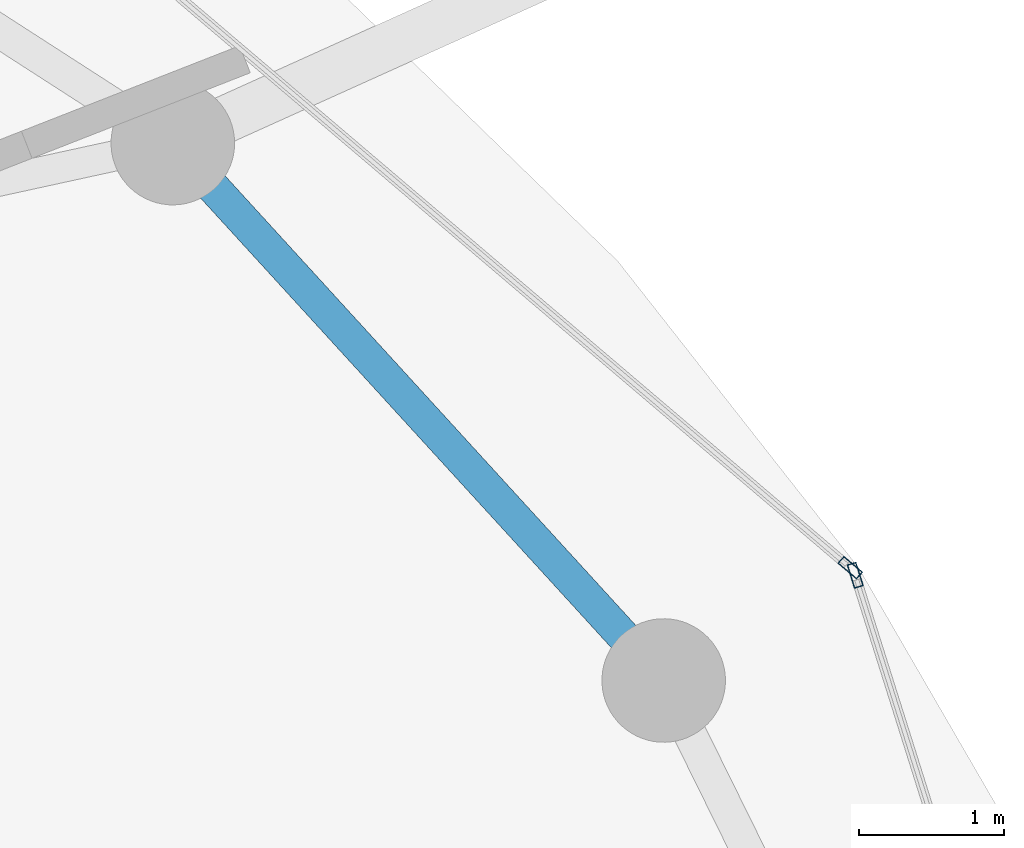
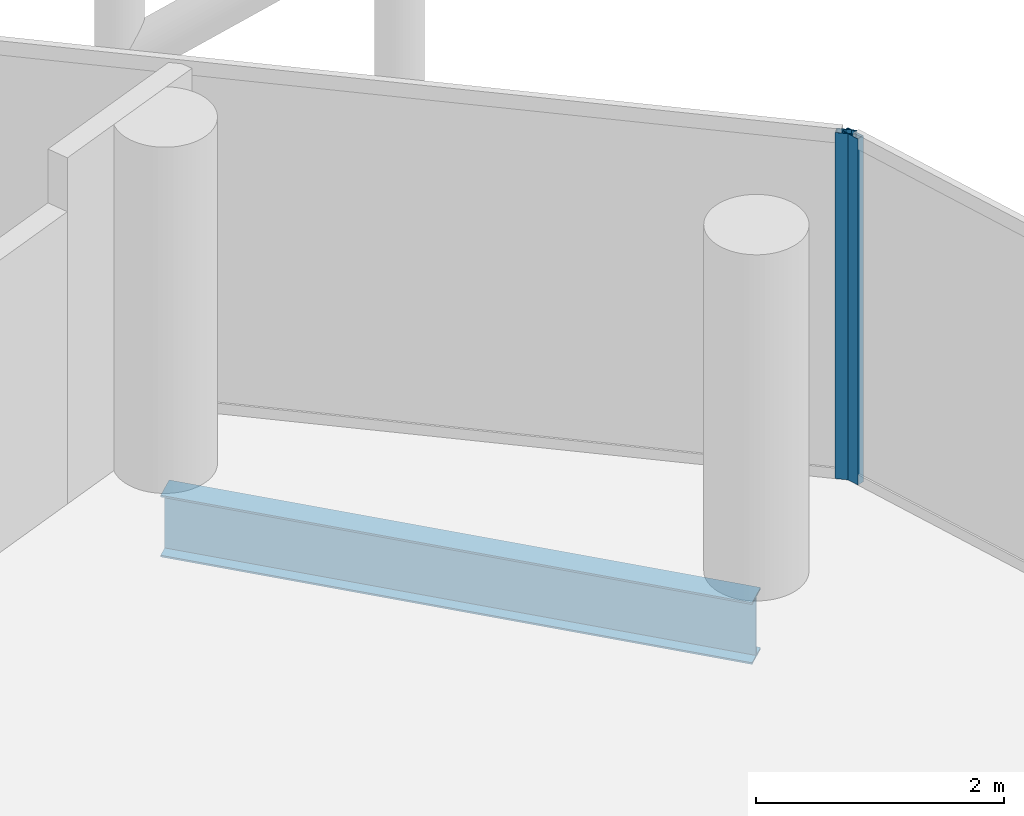
# One storey, part 17 of 27: 2 members, 1 beam, 2 elements without a shape of their own.
"""IFC4 building model written with IfcOpenShell, lengths in metres."""

from ifc_helpers import new_model, si_unit, direction, frame, origin, origin_2d, place, context, subcontext, project, spatial, hollow_rectangle, i_section, extrude, material, layer, layer_set, material_profile, profile_set, type_object, element, aggregate, save


model = new_model("IFC4")

# Units and contexts
model_context = context("Model", 3, precision=1e-05, world=origin(), true_north=direction((0.0, 1.0)))
body_context = subcontext(model_context, "Body", "Model", "MODEL_VIEW")
ifc_project = project(units=[si_unit("LENGTHUNIT", "METRE"), si_unit("AREAUNIT", "SQUARE_METRE"), si_unit("VOLUMEUNIT", "CUBIC_METRE"), si_unit("PLANEANGLEUNIT", "RADIAN"), si_unit("MASSUNIT", "GRAM", prefix="KILO")], contexts=[model_context])

# Site, building, storey
site_placement = place(None, origin())
site = spatial("IfcSite", under=ifc_project, at=site_placement, CompositionType="ELEMENT")
building_placement = place(site_placement, origin())
building = spatial("IfcBuilding", under=site, at=building_placement, Name="Nuhasar Tower", CompositionType="ELEMENT")
storey_placement = place(building_placement, frame((0.0, 0.0, 241.0)))
storey = spatial("IfcBuildingStorey", under=building, at=storey_placement, Name="L59", CompositionType="ELEMENT", Elevation=241.0)

# Beam
ifc_material_1 = material(Name="Steel S355", Category="steel")
ifc_material_profile_1 = material_profile(ifc_material_1, i_section(OverallWidth=0.22802734375, OverallDepth=0.60791015625, WebThickness=0.01123046875, FlangeThickness=0.017333984375, at=origin_2d()), Name="W24X76")
ifc_profile_set_1 = profile_set([ifc_material_profile_1], Name="Steel S355")
beam_type = type_object("IfcBeamType", Name="BM-RING-W24X76", PredefinedType="SPANDREL", material=ifc_profile_set_1)
beam_placement = place(storey_placement, frame((57.403076171875, 35.72509765625, -0.5439453125), z_axis=(-0.674449692975, 0.738320805373, 0.0), x_axis=(-0.738320805373, -0.674449692975, 0.0)))
element("IfcBeam", 1, at=beam_placement, inside=storey, type_object=beam_type, Name="L59 Perimeter Ring Spandrel 03", PredefinedType="SPANDREL", context=body_context, shape_type="SweptSolid", body=[
    extrude(i_section(OverallWidth=0.22802734375, OverallDepth=0.60791015625, WebThickness=0.01123046875, FlangeThickness=0.017333984375, at=origin_2d()), origin(), (0.0, 0.0, 1.0), 5.00732421875),
])

# Curtain wall, member
ifc_material_2 = material(Name="Aluminium 6063-T6", Category="aluminium")
ifc_layer = layer(ifc_material_2, 0.18994140625)
ifc_layer_set = layer_set([ifc_layer], Name="Aluminium 6063-T6")
curtain_wall_type = type_object("IfcCurtainWallType", Name="CW-Z3-RES", PredefinedType="NOTDEFINED", material=ifc_layer_set)
curtain_wall_1_placement = place(storey_placement, origin())
curtain_wall_1 = element("IfcCurtainWall", 2, at=curtain_wall_1_placement, inside=storey, type_object=curtain_wall_type, Name="L59 Unitised Curtain Wall 01", PredefinedType="NOTDEFINED")
ifc_material_profile_2 = material_profile(ifc_material_2, hollow_rectangle(XDim=0.06494140625, YDim=0.169921875, WallThickness=0.0048828125, at=origin_2d()), Name="CWM-4")
ifc_profile_set_2 = profile_set([ifc_material_profile_2], Name="Aluminium 6063-T6")
member_type = type_object("IfcMemberType", Name="CW-MUL-S4", PredefinedType="MULLION", material=ifc_profile_set_2)
member_1_placement = place(storey_placement, frame((58.720703125, 36.448974609375, 0.0), z_axis=(0.0, 0.0, 1.0), x_axis=(-0.95380429279, -0.30042864553, 0.0)))
member_1 = element("IfcMember", 3, at=member_1_placement, type_object=member_type, Name="CW-Z3 mullion 2", PredefinedType="MULLION", context=body_context, shape_type="SweptSolid", body=[
    extrude(hollow_rectangle(XDim=0.06494140625, YDim=0.169921875, WallThickness=0.0048828125, at=origin_2d()), origin(), (0.0, 0.0, 1.0), 3.409912109375),
])
aggregate(curtain_wall_1, [member_1])

curtain_wall_2_placement = place(storey_placement, origin())
curtain_wall_2 = element("IfcCurtainWall", 4, at=curtain_wall_2_placement, inside=storey, type_object=curtain_wall_type, Name="L59 Unitised Curtain Wall 02", PredefinedType="NOTDEFINED")
member_2_placement = place(storey_placement, frame((58.686279296875, 36.5009765625, 0.0), z_axis=(0.0, 0.0, 1.0), x_axis=(-0.64789521578, -0.761729472562, 0.0)))
member_2 = element("IfcMember", 5, at=member_2_placement, type_object=member_type, Name="CW-Z3 mullion 1", PredefinedType="MULLION", context=body_context, shape_type="SweptSolid", body=[
    extrude(hollow_rectangle(XDim=0.06494140625, YDim=0.169921875, WallThickness=0.0048828125, at=origin_2d()), origin(), (0.0, 0.0, 1.0), 3.409912109375),
])
aggregate(curtain_wall_2, [member_2])

save(model, "model.ifc")
